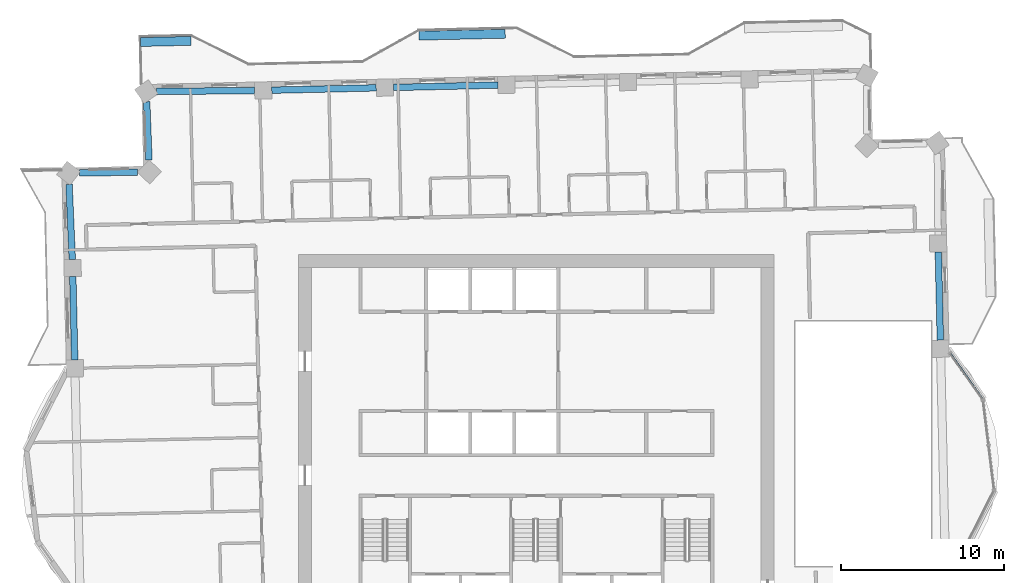
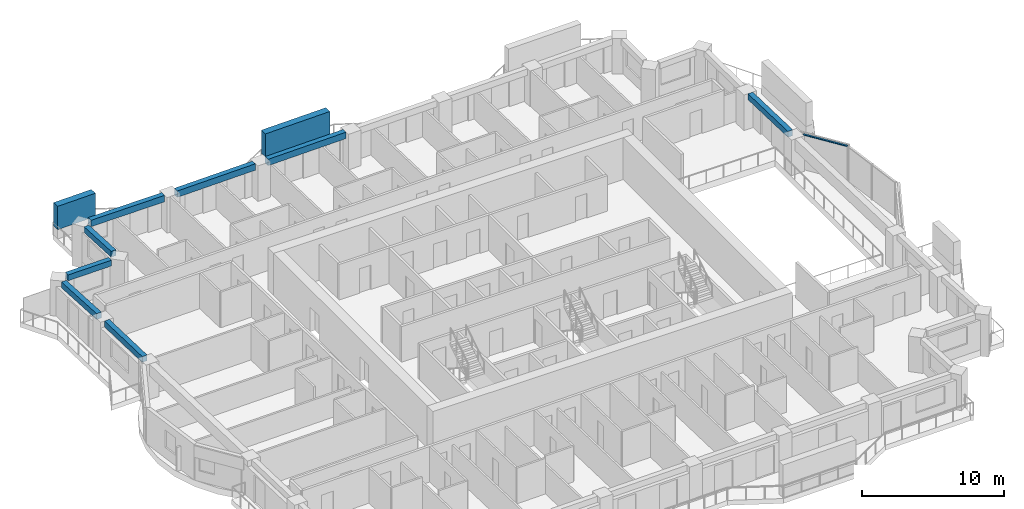
# One storey, part 3 of 17: 8 beams, 3 members, 1 element without a shape of its own.
"""IFC4 building model written with IfcOpenShell, lengths in metres."""

from ifc_helpers import new_model, si_unit, direction, frame, origin, origin_2d, place, context, subcontext, project, spatial, rectangle, extrude, material, material_profile, profile_set, type_object, element, aggregate, save


model = new_model("IFC4")

# Units and contexts
model_context = context("Model", 3, precision=1e-05, world=origin(), true_north=direction((0.0, 1.0)))
body_context = subcontext(model_context, "Body", "Model", "MODEL_VIEW")
ifc_project = project(units=[si_unit("LENGTHUNIT", "METRE"), si_unit("AREAUNIT", "SQUARE_METRE"), si_unit("VOLUMEUNIT", "CUBIC_METRE"), si_unit("PLANEANGLEUNIT", "RADIAN"), si_unit("MASSUNIT", "GRAM", prefix="KILO")], contexts=[model_context])

# Site, building, storey
site_placement = place(None, origin())
site = spatial("IfcSite", under=ifc_project, at=site_placement, CompositionType="ELEMENT")
building_placement = place(site_placement, origin())
building = spatial("IfcBuilding", under=site, at=building_placement, Name="Mangrove Gate Tower", CompositionType="ELEMENT")
storey_placement = place(building_placement, frame((0.0, 0.0, 245.5)))
storey = spatial("IfcBuildingStorey", under=building, at=storey_placement, Name="L62", CompositionType="ELEMENT", Elevation=245.5)

# Curtain wall, member
ifc_material_1 = material(Name="Aluminium and glass curtain wall", Category="aluminium")
curtain_wall_type = type_object("IfcCurtainWallType", Name="Atrium garden-court glazing wall", PredefinedType="NOTDEFINED", material=ifc_material_1)
curtain_wall_placement = place(storey_placement, origin())
curtain_wall = element("IfcCurtainWall", 1, at=curtain_wall_placement, inside=storey, type_object=curtain_wall_type, Name="Atrium garden-court glazing E1f3", PredefinedType="NOTDEFINED")
ifc_material_2 = material(Name="Aluminium alloy 6063-T6", Category="aluminium")
ifc_material_profile_1 = material_profile(ifc_material_2, rectangle(XDim=0.070068359375, YDim=0.14990234375, at=origin_2d()))
ifc_profile_set_1 = profile_set([ifc_material_profile_1], Name="Aluminium alloy 6063-T6")
member_type_1 = type_object("IfcMemberType", Name="Atrium garden-court glazing transom 70x150", PredefinedType="USERDEFINED", material=ifc_profile_set_1)
member_1_placement = place(storey_placement, frame((27.379150390625, 2.739013671875, 3.014892578125), z_axis=(-0.578122045982, 0.815950304829, 0.0), x_axis=(0.0, 0.0, 1.0)))
member_1 = element("IfcMember", 2, at=member_1_placement, type_object=member_type_1, Name="CWA transom 1.2", ObjectType="TRANSOM", PredefinedType="USERDEFINED", context=body_context, shape_type="SweptSolid", body=[
    extrude(rectangle(XDim=0.070068359375, YDim=0.14990234375, at=origin_2d()), origin(), (0.0, 0.0, 1.0), 3.4287109375),
])
aggregate(curtain_wall, [member_1])

# Members
ifc_material_3 = material(Name="Planting on aluminium trellis", Category="aluminium")
ifc_material_profile_2 = material_profile(ifc_material_3, rectangle(XDim=0.550048828125, YDim=2.0, at=origin_2d()))
ifc_profile_set_2 = profile_set([ifc_material_profile_2], Name="Planting on aluminium trellis")
member_type_2 = type_object("IfcMemberType", Name="Balcony greenery screen 550x2000", PredefinedType="USERDEFINED", material=ifc_profile_set_2)
member_2_placement = place(storey_placement, frame((-24.306884765625, 24.656982421875, 1.800048828125), z_axis=(0.999745114593, 0.022576665976, 0.0), x_axis=(-0.022576665976, 0.999745114593, 0.0)))
element("IfcMember", 3, at=member_2_placement, inside=storey, type_object=member_type_2, Name="GREEN SCREEN L62 N1.1", ObjectType="PLANTING", PredefinedType="USERDEFINED", context=body_context, shape_type="SweptSolid", body=[
    extrude(rectangle(XDim=0.550048828125, YDim=2.0, at=origin_2d()), origin(), (0.0, 0.0, 1.0), 3.103515625),
])
member_3_placement = place(storey_placement, frame((-7.20703125, 25.044921875, 1.800048828125), z_axis=(0.999743094541, 0.022665941778, 0.0), x_axis=(-0.022665941778, 0.999743094541, 0.0)))
element("IfcMember", 4, at=member_3_placement, inside=storey, type_object=member_type_2, Name="GREEN SCREEN L62 N1.2", ObjectType="PLANTING", PredefinedType="USERDEFINED", context=body_context, shape_type="SweptSolid", body=[
    extrude(rectangle(XDim=0.550048828125, YDim=2.0, at=origin_2d()), origin(), (0.0, 0.0, 1.0), 5.299560546875),
])

# Beams
ifc_material_4 = material(Name="Concrete C50/60", Category="concrete")
ifc_material_profile_3 = material_profile(ifc_material_4, rectangle(XDim=0.39990234375, YDim=0.5, at=origin_2d()))
ifc_profile_set_3 = profile_set([ifc_material_profile_3], Name="Concrete C50/60")
beam_type_1 = type_object("IfcBeamType", Name="Edge beam RC 400x500 C50/60", PredefinedType="BEAM", material=ifc_profile_set_3)
beam_1_placement = place(storey_placement, frame((24.80419921875, 6.350830078125, 2.800048828125), z_axis=(-0.022732675659, 0.999741579338, 0.0), x_axis=(-0.999741579338, -0.022732675659, 0.0)))
element("IfcBeam", 5, at=beam_1_placement, inside=storey, type_object=beam_type_1, Name="Edge beam L62 15", PredefinedType="BEAM", context=body_context, shape_type="SweptSolid", body=[
    extrude(rectangle(XDim=0.39990234375, YDim=0.5, at=origin_2d()), origin(), (0.0, 0.0, 1.0), 5.412841796875),
])
beam_2_placement = place(storey_placement, frame((-23.9208984375, 20.98779296875, 2.800048828125), z_axis=(0.038611273731, -0.999254306741, 0.0), x_axis=(0.999254306741, 0.038611273731, 0.0)))
element("IfcBeam", 6, at=beam_2_placement, inside=storey, type_object=beam_type_1, Name="Edge beam L62 25", PredefinedType="BEAM", context=body_context, shape_type="SweptSolid", body=[
    extrude(rectangle(XDim=0.39990234375, YDim=0.5, at=origin_2d()), origin(), (0.0, 0.0, 1.0), 3.578857421875),
])
beam_3_placement = place(storey_placement, frame((-24.490966796875, 16.67041015625, 2.800048828125), z_axis=(-0.999893055651, -0.014624543079, 0.0), x_axis=(0.014624543079, -0.999893055651, 0.0)))
element("IfcBeam", 7, at=beam_3_placement, inside=storey, type_object=beam_type_1, Name="Edge beam L62 26", PredefinedType="BEAM", context=body_context, shape_type="SweptSolid", body=[
    extrude(rectangle(XDim=0.39990234375, YDim=0.5, at=origin_2d()), origin(), (0.0, 0.0, 1.0), 3.555908203125),
])
beam_4_placement = place(storey_placement, frame((-28.6884765625, 15.921875, 2.800048828125), z_axis=(0.0427997553, -0.999083670643, 0.0), x_axis=(0.999083670643, 0.0427997553, 0.0)))
element("IfcBeam", 8, at=beam_4_placement, inside=storey, type_object=beam_type_1, Name="Edge beam L62 27", PredefinedType="BEAM", context=body_context, shape_type="SweptSolid", body=[
    extrude(rectangle(XDim=0.39990234375, YDim=0.5, at=origin_2d()), origin(), (0.0, 0.0, 1.0), 4.620361328125),
])
beam_5_placement = place(storey_placement, frame((-28.456298828125, 10.256103515625, 2.800048828125), z_axis=(0.022734424462, -0.999741539571, 0.0), x_axis=(0.999741539571, 0.022734424462, 0.0)))
element("IfcBeam", 9, at=beam_5_placement, inside=storey, type_object=beam_type_1, Name="Edge beam L62 28", PredefinedType="BEAM", context=body_context, shape_type="SweptSolid", body=[
    extrude(rectangle(XDim=0.39990234375, YDim=0.5, at=origin_2d()), origin(), (0.0, 0.0, 1.0), 5.111572265625),
])
ifc_material_5 = material(Name="Concrete C50/60", Category="concrete")
ifc_material_profile_4 = material_profile(ifc_material_5, rectangle(XDim=0.39990234375, YDim=0.550048828125, at=origin_2d()))
ifc_profile_set_4 = profile_set([ifc_material_profile_4], Name="Concrete C50/60")
beam_type_2 = type_object("IfcBeamType", Name="Edge beam RC 400x550 C50/60", PredefinedType="BEAM", material=ifc_profile_set_4)
for number, where, z_axis, x_axis, name in (
    (10, (-2.362060546875, 22.01416015625, 2.77490234375), (-0.999741226382, -0.022748192739, 0.0), (0.022748192739, -0.999741226382, 0.0), "Edge beam L62 22"),
    (11, (-9.827880859375, 21.84423828125, 2.77490234375), (-0.999743815265, -0.022634129983, 0.0), (0.022634129983, -0.999743815265, 0.0), "Edge beam L62 23"),
):
    element("IfcBeam", number, at=place(storey_placement, frame(where, z_axis=z_axis, x_axis=x_axis)), inside=storey, type_object=beam_type_2, Name=name, PredefinedType="BEAM", context=body_context, shape_type="SweptSolid", body=[
        extrude(rectangle(XDim=0.39990234375, YDim=0.550048828125, at=origin_2d()), origin(), (0.0, 0.0, 1.0), 6.41796875),
    ])
beam_6_placement = place(storey_placement, frame((-17.294189453125, 21.681640625, 2.77490234375), z_axis=(-0.999946001693, -0.010392001641, 0.0), x_axis=(0.010392001641, -0.999946001693, 0.0)))
element("IfcBeam", 12, at=beam_6_placement, inside=storey, type_object=beam_type_2, Name="Edge beam L62 24", PredefinedType="BEAM", context=body_context, shape_type="SweptSolid", body=[
    extrude(rectangle(XDim=0.39990234375, YDim=0.550048828125, at=origin_2d()), origin(), (0.0, 0.0, 1.0), 6.01416015625),
])

save(model, "model.ifc")
